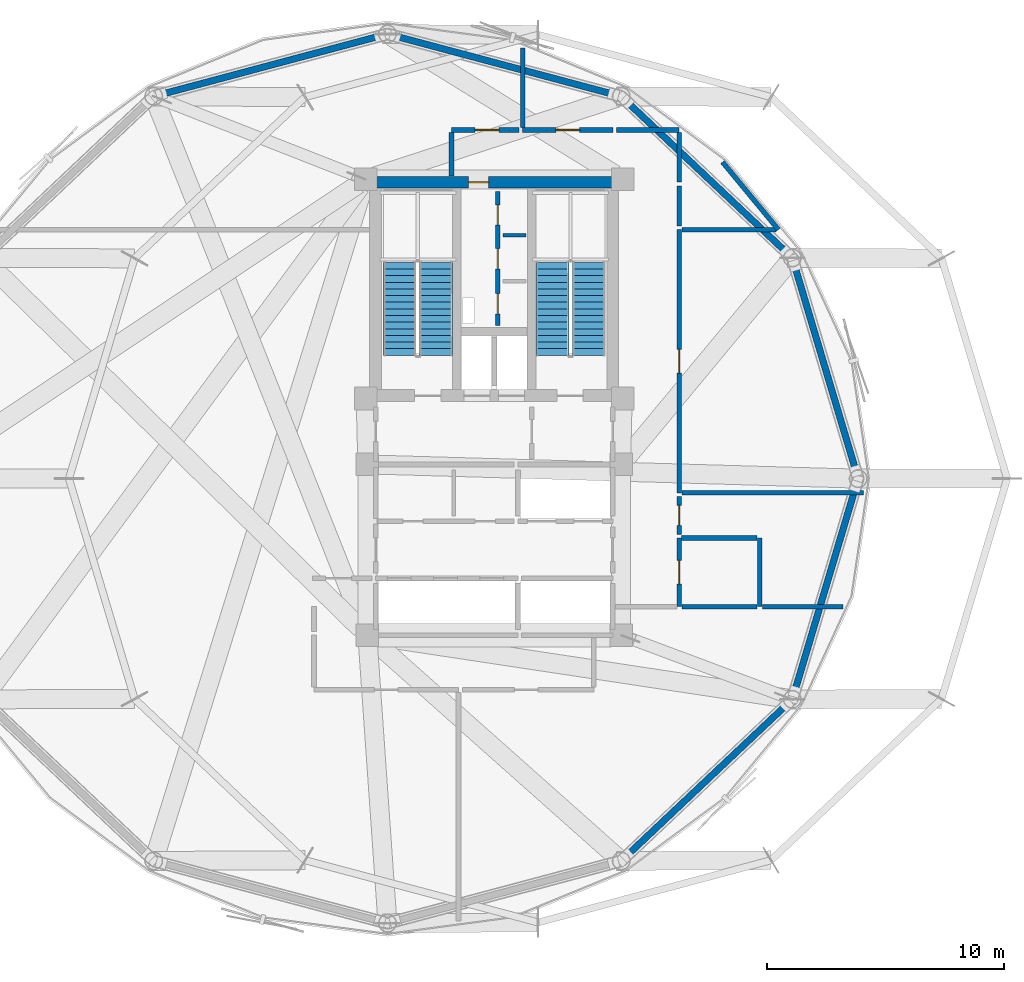
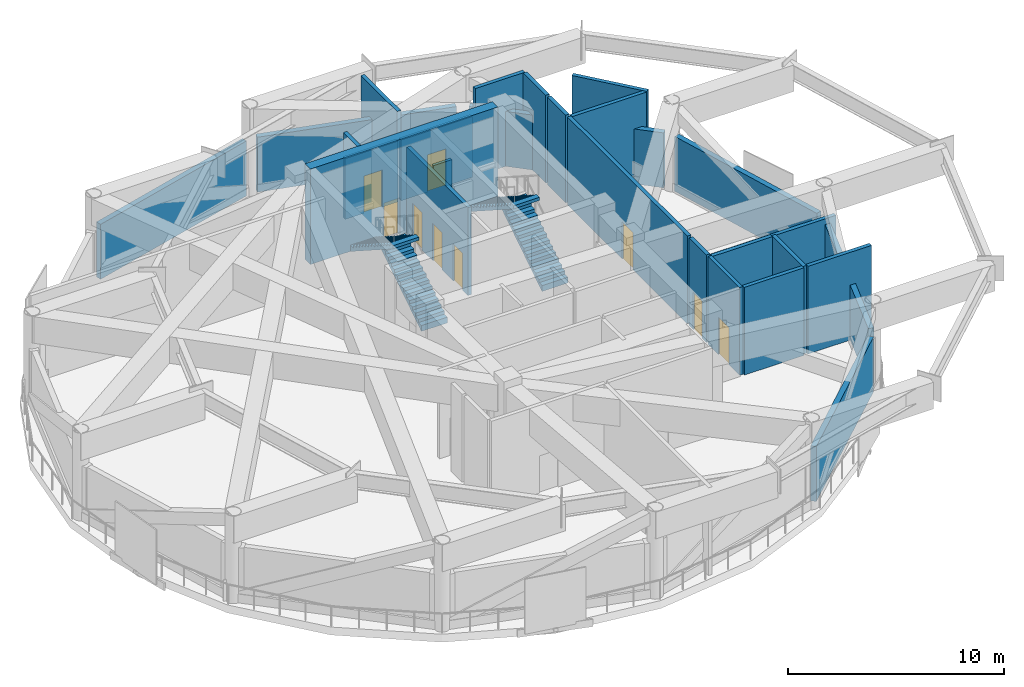
# One storey, part 4 of 8: 26 walls, 9 doors, 4 stair flights, 9 openings, 2 elements without a shape of their own.
"""IFC4 building model written with IfcOpenShell, lengths in metres."""

from ifc_helpers import new_model, si_unit, direction, frame, frame_2d, origin, place, context, subcontext, project, spatial, polyline, rectangle, outline, extrude, material, layer, layer_set, type_object, element, fill, aggregate, save


model = new_model("IFC4")

# Units and contexts
model_context = context("Model", 3, precision=1e-05, world=origin(), true_north=direction((0.0, 1.0)))
body_context = subcontext(model_context, "Body", "Model", "MODEL_VIEW")
ifc_project = project(units=[si_unit("LENGTHUNIT", "METRE"), si_unit("AREAUNIT", "SQUARE_METRE"), si_unit("VOLUMEUNIT", "CUBIC_METRE"), si_unit("PLANEANGLEUNIT", "RADIAN"), si_unit("MASSUNIT", "GRAM", prefix="KILO")], contexts=[model_context])

# Site, building, storey
site_placement = place(None, origin())
site = spatial("IfcSite", under=ifc_project, at=site_placement, CompositionType="ELEMENT")
building_placement = place(site_placement, origin())
building = spatial("IfcBuilding", under=site, at=building_placement, Name="Varnakorn Sky Granary", CompositionType="ELEMENT")
storey_placement = place(building_placement, frame((0.0, 0.0, 173.39990234375)))
storey = spatial("IfcBuildingStorey", under=building, at=storey_placement, Name="L43", CompositionType="ELEMENT", Elevation=173.39990234375)

# Wall, opening, door
ifc_material_1 = material(Name="Concrete C60/75", Category="concrete")
ifc_layer_1 = layer(ifc_material_1, 0.5, Name="Concrete C60/75")
ifc_layer_set_1 = layer_set([ifc_layer_1], Name="Concrete C60/75")
wall_type_1 = type_object("IfcWallType", Name="WT-CW-SHEAR-500", PredefinedType="SHEAR", material=ifc_layer_set_1)
wall_1_placement = place(storey_placement, frame((-2.0, 12.5, 0.0), z_axis=(0.0, 0.0, 1.0), x_axis=(1.0, 0.0, 0.0)))
wall_1 = element("IfcWall", 1, at=wall_1_placement, inside=storey, type_object=wall_type_1, Name="Core North Shear Wall L43", PredefinedType="SHEAR", context=body_context, shape_type="SweptSolid", body=[
    extrude(rectangle(XDim=10.0, YDim=0.5, at=frame_2d((5.0, 0.0))), origin(), (0.0, 0.0, 1.0), 5.39208984375),
])
opening_1_placement = place(wall_1_placement, frame((3.919921875, 0.0, 0.0)))
opening_1 = element("IfcOpeningElement", 2, at=opening_1_placement, cuts=wall_1, Name="Opening FD-60N", PredefinedType="OPENING", context=body_context, shape_type="SweptSolid", body=[
    extrude(rectangle(XDim=0.85009765625, YDim=2.10009765625, at=frame_2d((0.425048828125, 1.050048828125))), frame((0.0, 0.260009765625, 0.0), z_axis=(0.0, -1.0, 0.0), x_axis=(1.0, 0.0, 0.0)), (0.0, 0.0, 1.0), 0.52001953125),
])
ifc_material_2 = material(Name="Acoustic Timber Fire Leaf", Category="wood")
door_type_1 = type_object("IfcDoorType", Name="DR-FD60-850", OperationType="NOTDEFINED", PredefinedType="DOOR", material=ifc_material_2)
door_1_placement = place(opening_1_placement, origin())
door_1 = element("IfcDoor", 3, at=door_1_placement, inside=storey, type_object=door_type_1, Name="Core North Service Door L43", OperationType="SINGLE_SWING_LEFT", OverallHeight=2.10009765625, OverallWidth=0.85009765625, PredefinedType="DOOR", context=body_context, shape_type="SweptSolid", body=[
    extrude(rectangle(XDim=0.85009765625, YDim=2.10009765625, at=frame_2d((0.425048828125, 1.050048828125))), frame((0.0, 0.02490234375, 0.0), z_axis=(0.0, -1.0, 0.0), x_axis=(1.0, 0.0, 0.0)), (0.0, 0.0, 1.0), 0.050048828125),
])
fill(opening_1, door_1)

# Walls
ifc_material_3 = material(Name="Precast concrete C40/50", Category="concrete")
ifc_layer_2 = layer(ifc_material_3, 0.280029296875, Name="Precast concrete C40/50")
ifc_layer_set_2 = layer_set([ifc_layer_2], Name="Precast concrete C40/50")
wall_type_2 = type_object("IfcWallType", Name="WT-EW-CRN-280", PredefinedType="SOLIDWALL", material=ifc_layer_set_2)
wall_2_placement = place(storey_placement, frame((15.669677734375, 8.985595703125, 0.0), z_axis=(0.0, 0.0, 1.0), x_axis=(0.285841231568, -0.958276990403, 0.0)))
element("IfcWall", 4, at=wall_2_placement, inside=storey, type_object=wall_type_2, Name="Agritech Insulated Precast Facade Wall L43-P01", PredefinedType="SOLIDWALL", context=body_context, shape_type="SweptSolid", body=[
    extrude(rectangle(XDim=9.040771484375, YDim=0.280029296875, at=frame_2d((4.5205078125, 0.0))), origin(), (0.0, 0.0, 1.0), 3.10009765625),
])
wall_3_placement = place(storey_placement, frame((8.601806640625, 15.890380859375, 0.0), z_axis=(0.0, 0.0, 1.0), x_axis=(0.727093640033, -0.686538300915, 0.0)))
element("IfcWall", 5, at=wall_3_placement, inside=storey, type_object=wall_type_2, Name="Agritech Insulated Precast Facade Wall L43-P02", PredefinedType="SOLIDWALL", context=body_context, shape_type="SweptSolid", body=[
    extrude(rectangle(XDim=9.252685546875, YDim=0.280029296875, at=frame_2d((4.62646484375, 0.0))), origin(), (0.0, 0.0, 1.0), 3.10009765625),
])
for number, where, z_axis, x_axis, name in (
    (6, (-1.17529296875, 18.663330078125, 0.0), (0.0, 0.0, 1.0), (0.966232388321, -0.257672217672, 0.0), "Agritech Insulated Precast Facade Wall L43-P03"),
    (7, (-11.03271484375, 16.207763671875, 0.0), (0.0, 0.0, 1.0), (0.966232388321, 0.257672217672, 0.0), "Agritech Insulated Precast Facade Wall L43-P04"),
):
    element("IfcWall", number, at=place(storey_placement, frame(where, z_axis=z_axis, x_axis=x_axis)), inside=storey, type_object=wall_type_2, Name=name, PredefinedType="SOLIDWALL", context=body_context, shape_type="SweptSolid", body=[
        extrude(rectangle(XDim=9.52978515625, YDim=0.280029296875, at=frame_2d((4.764892578125, 0.0))), origin(), (0.0, 0.0, 1.0), 3.10009765625),
    ])
wall_4_placement = place(storey_placement, frame((15.329345703125, -9.5380859375, 0.0), z_axis=(0.0, 0.0, 1.0), x_axis=(-0.727093640033, -0.686538300915, 0.0)))
element("IfcWall", 8, at=wall_4_placement, inside=storey, type_object=wall_type_2, Name="Agritech Insulated Precast Facade Wall L43-P11", PredefinedType="SOLIDWALL", context=body_context, shape_type="SweptSolid", body=[
    extrude(rectangle(XDim=9.252685546875, YDim=0.280029296875, at=frame_2d((4.62646484375, 0.0))), origin(), (0.0, 0.0, 1.0), 3.10009765625),
])
wall_5_placement = place(storey_placement, frame((18.25390625, -0.322021484375, 0.0), z_axis=(0.0, 0.0, 1.0), x_axis=(-0.285841231568, -0.958276990403, 0.0)))
element("IfcWall", 9, at=wall_5_placement, inside=storey, type_object=wall_type_2, Name="Agritech Insulated Precast Facade Wall L43-P12", PredefinedType="SOLIDWALL", context=body_context, shape_type="SweptSolid", body=[
    extrude(rectangle(XDim=9.040771484375, YDim=0.280029296875, at=frame_2d((4.5205078125, 0.0))), origin(), (0.0, 0.0, 1.0), 3.10009765625),
])

# Wall, openings, doors
ifc_material_4 = material(Name="Autoclaved Aerated Concrete Blockwork", Category="masonry")
ifc_layer_3 = layer(ifc_material_4, 0.199951171875, Name="Autoclaved Aerated Concrete Blockwork")
ifc_layer_set_3 = layer_set([ifc_layer_3], Name="Autoclaved Aerated Concrete Blockwork")
wall_type_3 = type_object("IfcWallType", Name="WT-FIRE-200", PredefinedType="MOVABLE", material=ifc_layer_set_3)
wall_6_placement = place(storey_placement, frame((3.14990234375, 6.449951171875, 0.0), z_axis=(0.0, 0.0, 1.0), x_axis=(0.0, 1.0, 0.0)))
wall_6 = element("IfcWall", 10, at=wall_6_placement, inside=storey, type_object=wall_type_3, Name="Interior Partition Wall L43-013", PredefinedType="MOVABLE", context=body_context, shape_type="SweptSolid", body=[
    extrude(rectangle(XDim=5.650146484375, YDim=0.199951171875, at=frame_2d((2.8251953125, 0.0))), origin(), (0.0, 0.0, 1.0), 4.9501953125),
])
opening_2_placement = place(wall_6_placement, frame((0.5, 0.0, 0.0)))
opening_2 = element("IfcOpeningElement", 11, at=opening_2_placement, cuts=wall_6, Name="Opening FD-60N", PredefinedType="OPENING", context=body_context, shape_type="SweptSolid", body=[
    extrude(rectangle(XDim=0.85009765625, YDim=2.10009765625, at=frame_2d((0.425048828125, 1.050048828125))), frame((0.0, 0.10986328125, 0.0), z_axis=(0.0, -1.0, 0.0), x_axis=(1.0, 0.0, 0.0)), (0.0, 0.0, 1.0), 0.219970703125),
])
opening_3_placement = place(wall_6_placement, frame((2.39990234375, 0.0, 0.0)))
opening_3 = element("IfcOpeningElement", 12, at=opening_3_placement, cuts=wall_6, Name="Opening FD-60N", PredefinedType="OPENING", context=body_context, shape_type="SweptSolid", body=[
    extrude(rectangle(XDim=0.85009765625, YDim=2.10009765625, at=frame_2d((0.425048828125, 1.050048828125))), frame((0.0, 0.10986328125, 0.0), z_axis=(0.0, -1.0, 0.0), x_axis=(1.0, 0.0, 0.0)), (0.0, 0.0, 1.0), 0.219970703125),
])
opening_4_placement = place(wall_6_placement, frame((4.25, 0.0, 0.0)))
opening_4 = element("IfcOpeningElement", 13, at=opening_4_placement, cuts=wall_6, Name="Opening FD-60N", PredefinedType="OPENING", context=body_context, shape_type="SweptSolid", body=[
    extrude(rectangle(XDim=0.85009765625, YDim=2.10009765625, at=frame_2d((0.425048828125, 1.050048828125))), frame((0.0, 0.10986328125, 0.0), z_axis=(0.0, -1.0, 0.0), x_axis=(1.0, 0.0, 0.0)), (0.0, 0.0, 1.0), 0.219970703125),
])
door_2_placement = place(opening_2_placement, origin())
door_2 = element("IfcDoor", 14, at=door_2_placement, inside=storey, type_object=door_type_1, Name="Interior Door L43-013-1", OperationType="SINGLE_SWING_RIGHT", OverallHeight=2.10009765625, OverallWidth=0.85009765625, PredefinedType="DOOR", context=body_context, shape_type="SweptSolid", body=[
    extrude(rectangle(XDim=0.85009765625, YDim=2.10009765625, at=frame_2d((0.425048828125, 1.050048828125))), frame((0.0, 0.02490234375, 0.0), z_axis=(0.0, -1.0, 0.0), x_axis=(1.0, 0.0, 0.0)), (0.0, 0.0, 1.0), 0.050048828125),
])
fill(opening_2, door_2)
door_3_placement = place(opening_3_placement, origin())
door_3 = element("IfcDoor", 15, at=door_3_placement, inside=storey, type_object=door_type_1, Name="Interior Door L43-013-2", OperationType="SINGLE_SWING_LEFT", OverallHeight=2.10009765625, OverallWidth=0.85009765625, PredefinedType="DOOR", context=body_context, shape_type="SweptSolid", body=[
    extrude(rectangle(XDim=0.85009765625, YDim=2.10009765625, at=frame_2d((0.425048828125, 1.050048828125))), frame((0.0, 0.02490234375, 0.0), z_axis=(0.0, -1.0, 0.0), x_axis=(1.0, 0.0, 0.0)), (0.0, 0.0, 1.0), 0.050048828125),
])
fill(opening_3, door_3)
door_4_placement = place(opening_4_placement, origin())
door_4 = element("IfcDoor", 16, at=door_4_placement, inside=storey, type_object=door_type_1, Name="Interior Door L43-013-3", OperationType="SINGLE_SWING_RIGHT", OverallHeight=2.10009765625, OverallWidth=0.85009765625, PredefinedType="DOOR", context=body_context, shape_type="SweptSolid", body=[
    extrude(rectangle(XDim=0.85009765625, YDim=2.10009765625, at=frame_2d((0.425048828125, 1.050048828125))), frame((0.0, 0.02490234375, 0.0), z_axis=(0.0, -1.0, 0.0), x_axis=(1.0, 0.0, 0.0)), (0.0, 0.0, 1.0), 0.050048828125),
])
fill(opening_4, door_4)

# Wall, opening, door
wall_7_placement = place(storey_placement, frame((8.0, 14.699951171875, 0.0), z_axis=(0.0, 0.0, 1.0), x_axis=(-1.0, 0.0, 0.0)))
wall_7 = element("IfcWall", 17, at=wall_7_placement, inside=storey, type_object=wall_type_3, Name="Interior Partition Wall L43-022", PredefinedType="MOVABLE", context=body_context, shape_type="SweptSolid", body=[
    extrude(rectangle(XDim=3.800048828125, YDim=0.199951171875, at=frame_2d((1.89990234375, 0.0))), origin(), (0.0, 0.0, 1.0), 3.43212890625),
])
opening_5_placement = place(wall_7_placement, frame((1.39990234375, 0.0, 0.0)))
opening_5 = element("IfcOpeningElement", 18, at=opening_5_placement, cuts=wall_7, Name="Opening FD-60", PredefinedType="OPENING", context=body_context, shape_type="SweptSolid", body=[
    extrude(rectangle(XDim=1.0, YDim=2.10009765625, at=frame_2d((0.5, 1.050048828125))), frame((0.0, 0.10986328125, 0.0), z_axis=(0.0, -1.0, 0.0), x_axis=(1.0, 0.0, 0.0)), (0.0, 0.0, 1.0), 0.219970703125),
])
door_type_2 = type_object("IfcDoorType", Name="DR-FD60-1000", OperationType="NOTDEFINED", PredefinedType="DOOR", material=ifc_material_2)
door_5_placement = place(opening_5_placement, origin())
door_5 = element("IfcDoor", 19, at=door_5_placement, inside=storey, type_object=door_type_2, Name="Interior Door L43-022-1", OperationType="SINGLE_SWING_RIGHT", OverallHeight=2.10009765625, OverallWidth=1.0, PredefinedType="DOOR", context=body_context, shape_type="SweptSolid", body=[
    extrude(rectangle(XDim=1.0, YDim=2.10009765625, at=frame_2d((0.5, 1.050048828125))), frame((0.0, 0.02490234375, 0.0), z_axis=(0.0, -1.0, 0.0), x_axis=(1.0, 0.0, 0.0)), (0.0, 0.0, 1.0), 0.050048828125),
])
fill(opening_5, door_5)

wall_8_placement = place(storey_placement, frame((4.0400390625, 14.699951171875, 0.0), z_axis=(0.0, 0.0, 1.0), x_axis=(-1.0, 0.0, 0.0)))
wall_8 = element("IfcWall", 20, at=wall_8_placement, inside=storey, type_object=wall_type_3, Name="Interior Partition Wall L43-023", PredefinedType="MOVABLE", context=body_context, shape_type="SweptSolid", body=[
    extrude(rectangle(XDim=2.840087890625, YDim=0.199951171875, at=frame_2d((1.419921875, 0.0))), origin(), (0.0, 0.0, 1.0), 3.43212890625),
])
opening_6_placement = place(wall_8_placement, frame((0.840087890625, 0.0, 0.0)))
opening_6 = element("IfcOpeningElement", 21, at=opening_6_placement, cuts=wall_8, Name="Opening FD-60", PredefinedType="OPENING", context=body_context, shape_type="SweptSolid", body=[
    extrude(rectangle(XDim=1.0, YDim=2.10009765625, at=frame_2d((0.5, 1.050048828125))), frame((0.0, 0.10986328125, 0.0), z_axis=(0.0, -1.0, 0.0), x_axis=(1.0, 0.0, 0.0)), (0.0, 0.0, 1.0), 0.219970703125),
])
door_6_placement = place(opening_6_placement, origin())
door_6 = element("IfcDoor", 22, at=door_6_placement, inside=storey, type_object=door_type_2, Name="Interior Door L43-023-1", OperationType="SINGLE_SWING_LEFT", OverallHeight=2.10009765625, OverallWidth=1.0, PredefinedType="DOOR", context=body_context, shape_type="SweptSolid", body=[
    extrude(rectangle(XDim=1.0, YDim=2.10009765625, at=frame_2d((0.5, 1.050048828125))), frame((0.0, 0.02490234375, 0.0), z_axis=(0.0, -1.0, 0.0), x_axis=(1.0, 0.0, 0.0)), (0.0, 0.0, 1.0), 0.050048828125),
])
fill(opening_6, door_6)

wall_9_placement = place(storey_placement, frame((10.800048828125, -0.60009765625, 0.0), z_axis=(0.0, 0.0, 1.0), x_axis=(0.0, 1.0, 0.0)))
wall_9 = element("IfcWall", 23, at=wall_9_placement, inside=storey, type_object=wall_type_3, Name="Interior Partition Wall L43-024", PredefinedType="MOVABLE", context=body_context, shape_type="SweptSolid", body=[
    extrude(rectangle(XDim=11.10009765625, YDim=0.199951171875, at=frame_2d((5.550048828125, 0.0))), origin(), (0.0, 0.0, 1.0), 4.9501953125),
])
opening_7_placement = place(wall_9_placement, frame((5.050048828125, 0.0, 0.0)))
opening_7 = element("IfcOpeningElement", 24, at=opening_7_placement, cuts=wall_9, Name="Opening FD-60", PredefinedType="OPENING", context=body_context, shape_type="SweptSolid", body=[
    extrude(rectangle(XDim=1.0, YDim=2.10009765625, at=frame_2d((0.5, 1.050048828125))), frame((0.0, 0.10986328125, 0.0), z_axis=(0.0, -1.0, 0.0), x_axis=(1.0, 0.0, 0.0)), (0.0, 0.0, 1.0), 0.219970703125),
])
door_7_placement = place(opening_7_placement, origin())
door_7 = element("IfcDoor", 25, at=door_7_placement, inside=storey, type_object=door_type_2, Name="Interior Door L43-024-1", OperationType="SINGLE_SWING_RIGHT", OverallHeight=2.10009765625, OverallWidth=1.0, PredefinedType="DOOR", context=body_context, shape_type="SweptSolid", body=[
    extrude(rectangle(XDim=1.0, YDim=2.10009765625, at=frame_2d((0.5, 1.050048828125))), frame((0.0, 0.02490234375, 0.0), z_axis=(0.0, -1.0, 0.0), x_axis=(1.0, 0.0, 0.0)), (0.0, 0.0, 1.0), 0.050048828125),
])
fill(opening_7, door_7)

wall_10_placement = place(storey_placement, frame((10.800048828125, -2.35009765625, 0.0), z_axis=(0.0, 0.0, 1.0), x_axis=(0.0, 1.0, 0.0)))
wall_10 = element("IfcWall", 26, at=wall_10_placement, inside=storey, type_object=wall_type_3, Name="Interior Partition Wall L43-025", PredefinedType="MOVABLE", context=body_context, shape_type="SweptSolid", body=[
    extrude(rectangle(XDim=1.590087890625, YDim=0.199951171875, at=frame_2d((0.794921875, 0.0))), origin(), (0.0, 0.0, 1.0), 4.9501953125),
])
opening_8_placement = place(wall_10_placement, frame((0.375, 0.0, 0.0)))
opening_8 = element("IfcOpeningElement", 27, at=opening_8_placement, cuts=wall_10, Name="Opening FD-60N", PredefinedType="OPENING", context=body_context, shape_type="SweptSolid", body=[
    extrude(rectangle(XDim=0.85009765625, YDim=2.10009765625, at=frame_2d((0.425048828125, 1.050048828125))), frame((0.0, 0.10986328125, 0.0), z_axis=(0.0, -1.0, 0.0), x_axis=(1.0, 0.0, 0.0)), (0.0, 0.0, 1.0), 0.219970703125),
])
door_8_placement = place(opening_8_placement, origin())
door_8 = element("IfcDoor", 28, at=door_8_placement, inside=storey, type_object=door_type_1, Name="Interior Door L43-025-1", OperationType="SINGLE_SWING_LEFT", OverallHeight=2.10009765625, OverallWidth=0.85009765625, PredefinedType="DOOR", context=body_context, shape_type="SweptSolid", body=[
    extrude(rectangle(XDim=0.85009765625, YDim=2.10009765625, at=frame_2d((0.425048828125, 1.050048828125))), frame((0.0, 0.02490234375, 0.0), z_axis=(0.0, -1.0, 0.0), x_axis=(1.0, 0.0, 0.0)), (0.0, 0.0, 1.0), 0.050048828125),
])
fill(opening_8, door_8)

# Walls
wall_11_placement = place(storey_placement, frame((10.800048828125, 14.699951171875, 0.0), z_axis=(0.0, 0.0, 1.0), x_axis=(-1.0, 0.0, 0.0)))
element("IfcWall", 29, at=wall_11_placement, inside=storey, type_object=wall_type_3, Name="Interior Partition Wall L43-033", PredefinedType="MOVABLE", context=body_context, shape_type="SweptSolid", body=[
    extrude(rectangle(XDim=2.64013671875, YDim=0.199951171875, at=frame_2d((1.320068359375, 0.0))), origin(), (0.0, 0.0, 1.0), 4.9501953125),
])
wall_12_placement = place(storey_placement, frame((10.800048828125, 12.5, 0.0), z_axis=(0.0, 0.0, 1.0), x_axis=(0.0, 1.0, 0.0)))
element("IfcWall", 30, at=wall_12_placement, inside=storey, type_object=wall_type_3, Name="Interior Partition Wall L43-034", PredefinedType="MOVABLE", context=body_context, shape_type="SweptSolid", body=[
    extrude(rectangle(XDim=2.090087890625, YDim=0.199951171875, at=frame_2d((1.044921875, 0.0))), origin(), (0.0, 0.0, 1.0), 4.9501953125),
])
wall_13_placement = place(storey_placement, frame((10.800048828125, 10.659912109375, 0.0), z_axis=(0.0, 0.0, 1.0), x_axis=(0.0, 1.0, 0.0)))
element("IfcWall", 31, at=wall_13_placement, inside=storey, type_object=wall_type_3, Name="Interior Partition Wall L43-035", PredefinedType="MOVABLE", context=body_context, shape_type="SweptSolid", body=[
    extrude(rectangle(XDim=1.68017578125, YDim=0.199951171875, at=frame_2d((0.840087890625, 0.0))), origin(), (0.0, 0.0, 1.0), 4.9501953125),
])
wall_14_placement = place(storey_placement, frame((1.199951171875, 14.590087890625, 0.0), z_axis=(0.0, 0.0, 1.0), x_axis=(0.0, -1.0, 0.0)))
element("IfcWall", 32, at=wall_14_placement, inside=storey, type_object=wall_type_3, Name="Interior Partition Wall L43-036", PredefinedType="MOVABLE", context=body_context, shape_type="SweptSolid", body=[
    extrude(rectangle(XDim=1.830078125, YDim=0.199951171875, at=frame_2d((0.9150390625, 0.0))), origin(), (0.0, 0.0, 1.0), 4.9501953125),
])
wall_15_placement = place(storey_placement, frame((14.199951171875, -2.5, 0.0), z_axis=(0.0, 0.0, 1.0), x_axis=(0.0, -1.0, 0.0)))
element("IfcWall", 33, at=wall_15_placement, inside=storey, type_object=wall_type_3, Name="Interior Partition Wall L43-042", PredefinedType="MOVABLE", context=body_context, shape_type="SweptSolid", body=[
    extrude(rectangle(XDim=2.89990234375, YDim=0.199951171875, at=frame_2d((1.449951171875, 0.0))), origin(), (0.0, 0.0, 1.0), 4.9501953125),
])
wall_16_placement = place(storey_placement, frame((10.89990234375, -2.5, 0.0), z_axis=(0.0, 0.0, 1.0), x_axis=(1.0, 0.0, 0.0)))
element("IfcWall", 34, at=wall_16_placement, inside=storey, type_object=wall_type_3, Name="Interior Partition Wall L43-043", PredefinedType="MOVABLE", context=body_context, shape_type="SweptSolid", body=[
    extrude(rectangle(XDim=3.190185546875, YDim=0.199951171875, at=frame_2d((1.59521484375, 0.0))), origin(), (0.0, 0.0, 1.0), 4.9501953125),
])
wall_17_placement = place(storey_placement, frame((14.090087890625, -5.39990234375, 0.0), z_axis=(0.0, 0.0, 1.0), x_axis=(-1.0, 0.0, 0.0)))
element("IfcWall", 35, at=wall_17_placement, inside=storey, type_object=wall_type_3, Name="Interior Partition Wall L43-044", PredefinedType="MOVABLE", context=body_context, shape_type="SweptSolid", body=[
    extrude(rectangle(XDim=3.18017578125, YDim=0.199951171875, at=frame_2d((1.590087890625, 0.0))), origin(), (0.0, 0.0, 1.0), 4.9501953125),
])
wall_18_placement = place(storey_placement, frame((4.199951171875, 14.81005859375, 0.0), z_axis=(0.0, 0.0, 1.0), x_axis=(0.0, 1.0, 0.0)))
element("IfcWall", 36, at=wall_18_placement, inside=storey, type_object=wall_type_3, Name="Interior Partition Wall L43-045", PredefinedType="MOVABLE", context=body_context, shape_type="SweptSolid", body=[
    extrude(rectangle(XDim=3.35400390625, YDim=0.199951171875, at=frame_2d((1.677001953125, 0.0))), origin(), (0.0, 0.0, 1.0), 4.9501953125),
])
wall_19_placement = place(storey_placement, frame((12.6279296875, 13.35009765625, 0.0), z_axis=(0.0, 0.0, 1.0), x_axis=(0.637127111225, -0.770758745745, 0.0)))
element("IfcWall", 37, at=wall_19_placement, inside=storey, type_object=wall_type_3, Name="Interior Partition Wall L43-046", PredefinedType="MOVABLE", context=body_context, shape_type="SweptSolid", body=[
    extrude(rectangle(XDim=3.69775390625, YDim=0.199951171875, at=frame_2d((1.848876953125, 0.0))), origin(), (0.0, 0.0, 1.0), 4.9501953125),
])
wall_20_placement = place(storey_placement, frame((14.8740234375, 10.5, 0.0), z_axis=(0.0, 0.0, 1.0), x_axis=(-1.0, 0.0, 0.0)))
element("IfcWall", 38, at=wall_20_placement, inside=storey, type_object=wall_type_3, Name="Interior Partition Wall L43-047", PredefinedType="MOVABLE", context=body_context, shape_type="SweptSolid", body=[
    extrude(rectangle(XDim=3.964111328125, YDim=0.199951171875, at=frame_2d((1.98193359375, 0.0))), origin(), (0.0, 0.0, 1.0), 4.9501953125),
])
wall_21_placement = place(storey_placement, frame((18.571044921875, -0.60009765625, 0.0), z_axis=(0.0, 0.0, 1.0), x_axis=(-1.0, 0.0, 0.0)))
element("IfcWall", 39, at=wall_21_placement, inside=storey, type_object=wall_type_3, Name="Interior Partition Wall L43-048", PredefinedType="MOVABLE", context=body_context, shape_type="SweptSolid", body=[
    extrude(rectangle(XDim=7.6611328125, YDim=0.199951171875, at=frame_2d((3.83056640625, 0.0))), origin(), (0.0, 0.0, 1.0), 3.43212890625),
])
wall_22_placement = place(storey_placement, frame((17.7099609375, -5.39990234375, 0.0), z_axis=(0.0, 0.0, 1.0), x_axis=(-1.0, 0.0, 0.0)))
element("IfcWall", 40, at=wall_22_placement, inside=storey, type_object=wall_type_3, Name="Interior Partition Wall L43-049", PredefinedType="MOVABLE", context=body_context, shape_type="SweptSolid", body=[
    extrude(rectangle(XDim=3.39990234375, YDim=0.199951171875, at=frame_2d((1.699951171875, 0.0))), origin(), (0.0, 0.0, 1.0), 4.9501953125),
])
ifc_material_5 = material(Name="Gypsum Plasterboard on Steel Stud", Category="steel")
ifc_layer_4 = layer(ifc_material_5, 0.14990234375, Name="Gypsum Plasterboard on Steel Stud")
ifc_layer_set_4 = layer_set([ifc_layer_4], Name="Gypsum Plasterboard on Steel Stud")
wall_type_4 = type_object("IfcWallType", Name="WT-PART-150", PredefinedType="PARTITIONING", material=ifc_layer_set_4)
wall_23_placement = place(storey_placement, frame((3.3701171875, 10.260009765625, 0.0), z_axis=(0.0, 0.0, 1.0), x_axis=(1.0, 0.0, 0.0)))
element("IfcWall", 41, at=wall_23_placement, inside=storey, type_object=wall_type_4, Name="Interior Partition Wall L43-029", PredefinedType="PARTITIONING", context=body_context, shape_type="SweptSolid", body=[
    extrude(rectangle(XDim=0.97998046875, YDim=0.14990234375, at=frame_2d((0.489990234375, 0.0))), origin(), (0.0, 0.0, 1.0), 4.9501953125),
])

# Wall, opening, door
ifc_material_6 = material(Name="Moisture-Resistant Gypsum on Stud", Category="gypsum")
ifc_layer_5 = layer(ifc_material_6, 0.179931640625, Name="Moisture-Resistant Gypsum on Stud")
ifc_layer_set_5 = layer_set([ifc_layer_5], Name="Moisture-Resistant Gypsum on Stud")
wall_type_5 = type_object("IfcWallType", Name="WT-PLUMB-180", PredefinedType="PLUMBINGWALL", material=ifc_layer_set_5)
wall_24_placement = place(storey_placement, frame((10.800048828125, -5.39990234375, 0.0), z_axis=(0.0, 0.0, 1.0), x_axis=(0.0, 1.0, 0.0)))
wall_24 = element("IfcWall", 42, at=wall_24_placement, inside=storey, type_object=wall_type_5, Name="Interior Partition Wall L43-021", PredefinedType="PLUMBINGWALL", context=body_context, shape_type="SweptSolid", body=[
    extrude(rectangle(XDim=2.89990234375, YDim=0.179931640625, at=frame_2d((1.449951171875, 0.0))), origin(), (0.0, 0.0, 1.0), 4.9501953125),
])
opening_9_placement = place(wall_24_placement, frame((0.949951171875, 0.0, 0.0)))
opening_9 = element("IfcOpeningElement", 43, at=opening_9_placement, cuts=wall_24, Name="Opening ID-100", PredefinedType="OPENING", context=body_context, shape_type="SweptSolid", body=[
    extrude(rectangle(XDim=1.0, YDim=2.10009765625, at=frame_2d((0.5, 1.050048828125))), frame((0.0, 0.10009765625, 0.0), z_axis=(0.0, -1.0, 0.0), x_axis=(1.0, 0.0, 0.0)), (0.0, 0.0, 1.0), 0.199951171875),
])
ifc_material_7 = material(Name="Solid-Core Teak Veneer Leaf", Category="timber")
door_type_3 = type_object("IfcDoorType", Name="DR-INT-1000", OperationType="NOTDEFINED", PredefinedType="DOOR", material=ifc_material_7)
door_9_placement = place(opening_9_placement, origin())
door_9 = element("IfcDoor", 44, at=door_9_placement, inside=storey, type_object=door_type_3, Name="Interior Door L43-021-1", OperationType="SINGLE_SWING_LEFT", OverallHeight=2.10009765625, OverallWidth=1.0, PredefinedType="DOOR", context=body_context, shape_type="SweptSolid", body=[
    extrude(rectangle(XDim=1.0, YDim=2.10009765625, at=frame_2d((0.5, 1.050048828125))), frame((0.0, 0.02490234375, 0.0), z_axis=(0.0, -1.0, 0.0), x_axis=(1.0, 0.0, 0.0)), (0.0, 0.0, 1.0), 0.050048828125),
])
fill(opening_9, door_9)

# Stair, stair flights
ifc_material_8 = material(Name="Concrete C40/50", Category="concrete")
stair_type = type_object("IfcStairType", Name="ST-MAIN-ASSEMBLY", PredefinedType="HALF_TURN_STAIR", material=ifc_material_8)
stair_1_placement = place(storey_placement, origin())
stair_1 = element("IfcStair", 45, at=stair_1_placement, inside=storey, type_object=stair_type, Name="L43 Protected Exit Stair ST-1", PredefinedType="HALF_TURN_STAIR")
stair_flight_type = type_object("IfcStairFlightType", Name="ST-MAIN-FLIGHT", PredefinedType="STRAIGHT", material=ifc_material_8)
stair_flight_1_placement = place(storey_placement, frame((0.550048828125, 5.199951171875, 0.0), z_axis=(0.0, 0.0, 1.0), x_axis=(0.0, 1.0, 0.0)))
stair_flight_1 = element("IfcStairFlight", 46, at=stair_flight_1_placement, type_object=stair_flight_type, Name="ST-1 flight 1", NumberOfRisers=15, NumberOfTreads=14, PredefinedType="STRAIGHT", RiserHeight=0.18, TreadLength=0.28, context=body_context, shape_type="SweptSolid", body=[
    extrude(outline(polyline([(0.0, -0.14990234375), (0.0, 0.0), (0.0, 0.179931640625), (0.280029296875, 0.179931640625), (0.280029296875, 0.360107421875), (0.56005859375, 0.360107421875), (0.56005859375, 0.5400390625), (0.840087890625, 0.5400390625), (0.840087890625, 0.719970703125), (1.1201171875, 0.719970703125), (1.1201171875, 0.89990234375), (1.39990234375, 0.89990234375), (1.39990234375, 1.080078125), (1.679931640625, 1.080078125), (1.679931640625, 1.260009765625), (1.9599609375, 1.260009765625), (1.9599609375, 1.43994140625), (2.239990234375, 1.43994140625), (2.239990234375, 1.6201171875), (2.52001953125, 1.6201171875), (2.52001953125, 1.800048828125), (2.800048828125, 1.800048828125), (2.800048828125, 1.97998046875), (3.080078125, 1.97998046875), (3.080078125, 2.159912109375), (3.360107421875, 2.159912109375), (3.360107421875, 2.340087890625), (3.639892578125, 2.340087890625), (3.639892578125, 2.52001953125), (3.919921875, 2.52001953125), (3.919921875, 2.699951171875), (3.919921875, 2.341796875), (0.050048828125, -0.14990234375), (0.0, -0.14990234375)])), frame((0.0, 0.68994140625, 0.0), z_axis=(0.0, -1.0, 0.0), x_axis=(1.0, 0.0, 0.0)), (0.0, 0.0, 1.0), 1.3798828125),
])
stair_flight_2_placement = place(storey_placement, frame((-0.97998046875, 9.1201171875, 2.7001953125), z_axis=(0.0, 0.0, 1.0), x_axis=(0.0, -1.0, 0.0)))
stair_flight_2 = element("IfcStairFlight", 47, at=stair_flight_2_placement, type_object=stair_flight_type, Name="ST-1 flight 2", NumberOfRisers=15, NumberOfTreads=14, PredefinedType="STRAIGHT", RiserHeight=0.18, TreadLength=0.28, context=body_context, shape_type="SweptSolid", body=[
    extrude(outline(polyline([(0.0, -0.14990234375), (0.0, 0.0), (0.0, 0.179931640625), (0.280029296875, 0.179931640625), (0.280029296875, 0.360107421875), (0.56005859375, 0.360107421875), (0.56005859375, 0.5400390625), (0.840087890625, 0.5400390625), (0.840087890625, 0.719970703125), (1.1201171875, 0.719970703125), (1.1201171875, 0.89990234375), (1.39990234375, 0.89990234375), (1.39990234375, 1.080078125), (1.679931640625, 1.080078125), (1.679931640625, 1.260009765625), (1.9599609375, 1.260009765625), (1.9599609375, 1.43994140625), (2.239990234375, 1.43994140625), (2.239990234375, 1.6201171875), (2.52001953125, 1.6201171875), (2.52001953125, 1.800048828125), (2.800048828125, 1.800048828125), (2.800048828125, 1.97998046875), (3.080078125, 1.97998046875), (3.080078125, 2.159912109375), (3.360107421875, 2.159912109375), (3.360107421875, 2.340087890625), (3.639892578125, 2.340087890625), (3.639892578125, 2.52001953125), (3.919921875, 2.52001953125), (3.919921875, 2.699951171875), (3.919921875, 2.341796875), (0.050048828125, -0.14990234375), (0.0, -0.14990234375)])), frame((0.0, 0.68994140625, 0.0), z_axis=(0.0, -1.0, 0.0), x_axis=(1.0, 0.0, 0.0)), (0.0, 0.0, 1.0), 1.3798828125),
])
aggregate(stair_1, [stair_flight_1, stair_flight_2])

stair_2_placement = place(storey_placement, origin())
stair_2 = element("IfcStair", 48, at=stair_2_placement, inside=storey, type_object=stair_type, Name="L43 Protected Exit Stair ST-2", PredefinedType="HALF_TURN_STAIR")
stair_flight_3_placement = place(storey_placement, frame((6.989990234375, 5.199951171875, 0.0), z_axis=(0.0, 0.0, 1.0), x_axis=(0.0, 1.0, 0.0)))
stair_flight_3 = element("IfcStairFlight", 49, at=stair_flight_3_placement, type_object=stair_flight_type, Name="ST-2 flight 1", NumberOfRisers=15, NumberOfTreads=14, PredefinedType="STRAIGHT", RiserHeight=0.18, TreadLength=0.28, context=body_context, shape_type="SweptSolid", body=[
    extrude(outline(polyline([(0.0, -0.14990234375), (0.0, 0.0), (0.0, 0.179931640625), (0.280029296875, 0.179931640625), (0.280029296875, 0.360107421875), (0.56005859375, 0.360107421875), (0.56005859375, 0.5400390625), (0.840087890625, 0.5400390625), (0.840087890625, 0.719970703125), (1.1201171875, 0.719970703125), (1.1201171875, 0.89990234375), (1.39990234375, 0.89990234375), (1.39990234375, 1.080078125), (1.679931640625, 1.080078125), (1.679931640625, 1.260009765625), (1.9599609375, 1.260009765625), (1.9599609375, 1.43994140625), (2.239990234375, 1.43994140625), (2.239990234375, 1.6201171875), (2.52001953125, 1.6201171875), (2.52001953125, 1.800048828125), (2.800048828125, 1.800048828125), (2.800048828125, 1.97998046875), (3.080078125, 1.97998046875), (3.080078125, 2.159912109375), (3.360107421875, 2.159912109375), (3.360107421875, 2.340087890625), (3.639892578125, 2.340087890625), (3.639892578125, 2.52001953125), (3.919921875, 2.52001953125), (3.919921875, 2.699951171875), (3.919921875, 2.341796875), (0.050048828125, -0.14990234375), (0.0, -0.14990234375)])), frame((0.0, 0.68994140625, 0.0), z_axis=(0.0, -1.0, 0.0), x_axis=(1.0, 0.0, 0.0)), (0.0, 0.0, 1.0), 1.3798828125),
])
stair_flight_4_placement = place(storey_placement, frame((5.4599609375, 9.1201171875, 2.7001953125), z_axis=(0.0, 0.0, 1.0), x_axis=(0.0, -1.0, 0.0)))
stair_flight_4 = element("IfcStairFlight", 50, at=stair_flight_4_placement, type_object=stair_flight_type, Name="ST-2 flight 2", NumberOfRisers=15, NumberOfTreads=14, PredefinedType="STRAIGHT", RiserHeight=0.18, TreadLength=0.28, context=body_context, shape_type="SweptSolid", body=[
    extrude(outline(polyline([(0.0, -0.14990234375), (0.0, 0.0), (0.0, 0.179931640625), (0.280029296875, 0.179931640625), (0.280029296875, 0.360107421875), (0.56005859375, 0.360107421875), (0.56005859375, 0.5400390625), (0.840087890625, 0.5400390625), (0.840087890625, 0.719970703125), (1.1201171875, 0.719970703125), (1.1201171875, 0.89990234375), (1.39990234375, 0.89990234375), (1.39990234375, 1.080078125), (1.679931640625, 1.080078125), (1.679931640625, 1.260009765625), (1.9599609375, 1.260009765625), (1.9599609375, 1.43994140625), (2.239990234375, 1.43994140625), (2.239990234375, 1.6201171875), (2.52001953125, 1.6201171875), (2.52001953125, 1.800048828125), (2.800048828125, 1.800048828125), (2.800048828125, 1.97998046875), (3.080078125, 1.97998046875), (3.080078125, 2.159912109375), (3.360107421875, 2.159912109375), (3.360107421875, 2.340087890625), (3.639892578125, 2.340087890625), (3.639892578125, 2.52001953125), (3.919921875, 2.52001953125), (3.919921875, 2.699951171875), (3.919921875, 2.341796875), (0.050048828125, -0.14990234375), (0.0, -0.14990234375)])), frame((0.0, 0.68994140625, 0.0), z_axis=(0.0, -1.0, 0.0), x_axis=(1.0, 0.0, 0.0)), (0.0, 0.0, 1.0), 1.3798828125),
])
aggregate(stair_2, [stair_flight_3, stair_flight_4])

save(model, "model.ifc")
